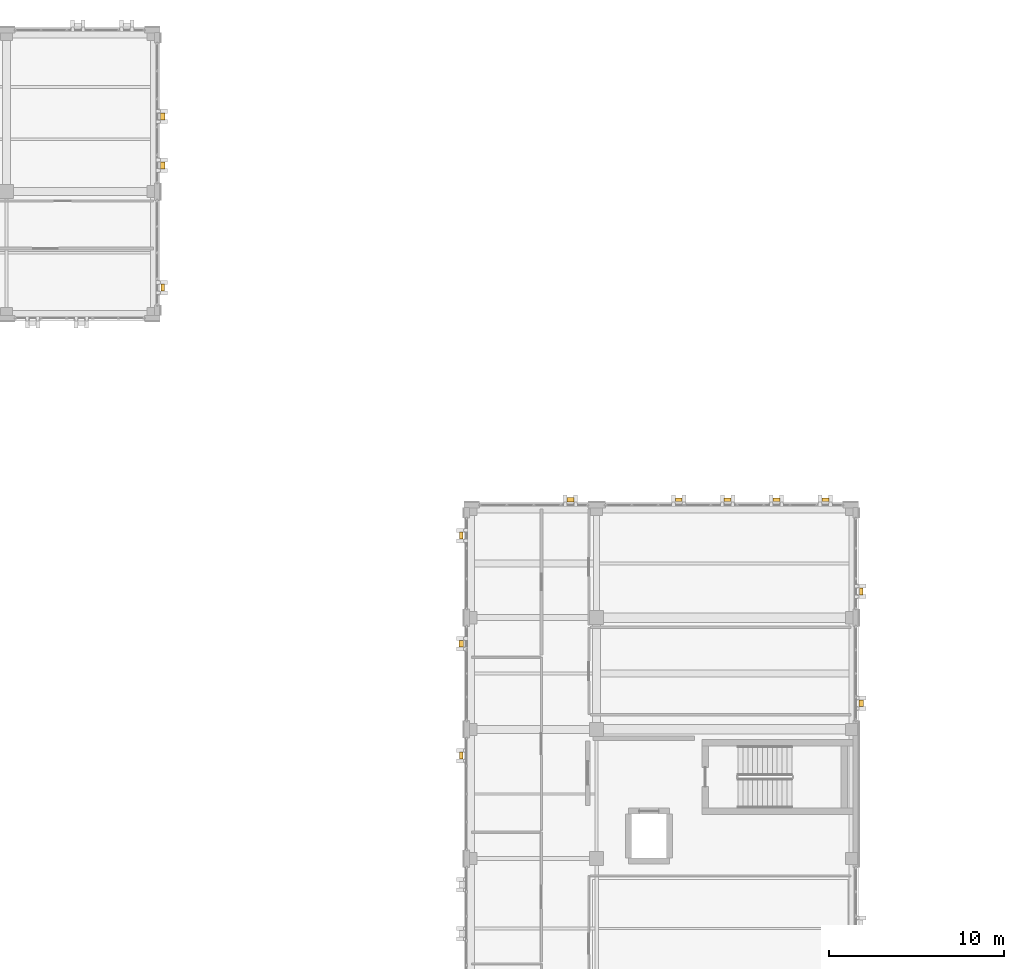
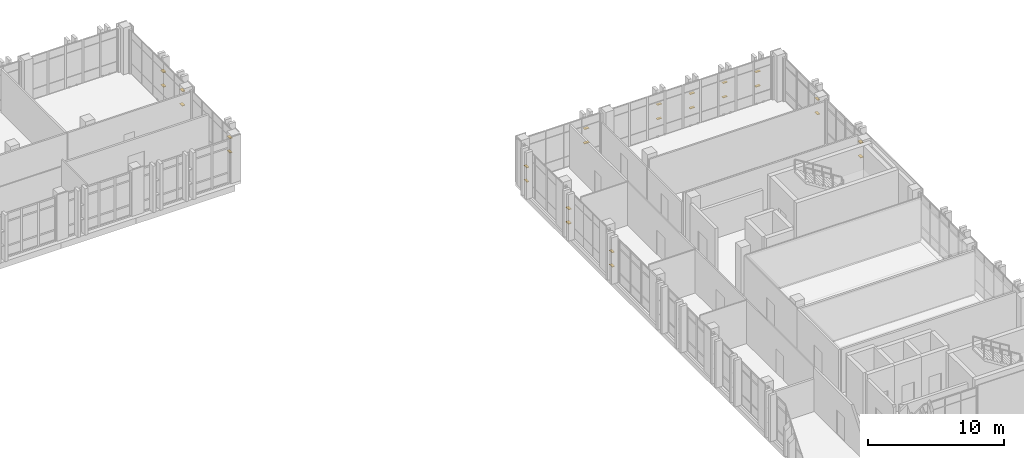
# One storey, part 192 of 193: 26 shading devices.
"""IFC4 building model written with IfcOpenShell, lengths in metres."""

from ifc_helpers import new_model, si_unit, direction, frame, origin, origin_2d, place, context, subcontext, project, spatial, rectangle, extrude, material, type_object, element, save


model = new_model("IFC4")

# Units and contexts
model_context = context("Model", 3, precision=1e-05, world=origin(), true_north=direction((0.0, 1.0)))
body_context = subcontext(model_context, "Body", "Model", "MODEL_VIEW")
ifc_project = project(units=[si_unit("LENGTHUNIT", "METRE"), si_unit("AREAUNIT", "SQUARE_METRE"), si_unit("VOLUMEUNIT", "CUBIC_METRE"), si_unit("PLANEANGLEUNIT", "RADIAN"), si_unit("MASSUNIT", "GRAM", prefix="KILO")], contexts=[model_context])

# Site, building, storey
site_placement = place(None, origin())
site = spatial("IfcSite", under=ifc_project, at=site_placement, CompositionType="ELEMENT")
building_placement = place(site_placement, origin())
building = spatial("IfcBuilding", under=site, at=building_placement, Name="Qalavern Law Courts", CompositionType="ELEMENT")
storey_placement = place(building_placement, frame((0.0, 0.0, 10.199951171875)))
storey = spatial("IfcBuildingStorey", under=building, at=storey_placement, Name="L02", CompositionType="ELEMENT", Elevation=10.199951171875)

# Shading devices
ifc_material = material(Name="Anodised aluminium", Category="aluminium")
shading_device_type_1 = type_object("IfcShadingDeviceType", Name="ENV-LOUV-1", PredefinedType="JALOUSIE", material=ifc_material)
for number, where, z_axis, x_axis, name in (
    (1, (106.955078125, 80.699951171875, 1.34033203125), (0.0, 0.0, 1.0), (0.0, 1.0, 0.0), "Horizontal sun louvre V4-L02-0-1"),
    (2, (106.955078125, 80.699951171875, 2.63232421875), (0.0, 0.0, 1.0), (0.0, 1.0, 0.0), "Horizontal sun louvre V4-L02-0-2"),
    (3, (104.89990234375, 85.955078125, 1.34033203125), (0.0, 0.0, 1.0), (-1.0, 0.0, 0.0), "Horizontal sun louvre V4-L02-0-1"),
    (4, (104.89990234375, 85.955078125, 2.63232421875), (0.0, 0.0, 1.0), (-1.0, 0.0, 0.0), "Horizontal sun louvre V4-L02-0-2"),
    (5, (102.10009765625, 85.955078125, 1.34033203125), (0.0, 0.0, 1.0), (-1.0, 0.0, 0.0), "Horizontal sun louvre V4-L02-1-1"),
    (6, (102.10009765625, 85.955078125, 2.63232421875), (0.0, 0.0, 1.0), (-1.0, 0.0, 0.0), "Horizontal sun louvre V4-L02-1-2"),
    (7, (99.300048828125, 85.955078125, 1.34033203125), (0.0, 0.0, 1.0), (-1.0, 0.0, 0.0), "Horizontal sun louvre V4-L02-2-1"),
    (8, (99.300048828125, 85.955078125, 2.63232421875), (0.0, 0.0, 1.0), (-1.0, 0.0, 0.0), "Horizontal sun louvre V4-L02-2-2"),
    (9, (96.5, 85.955078125, 1.34033203125), (0.0, 0.0, 1.0), (-1.0, 0.0, 0.0), "Horizontal sun louvre V4-L02-3-1"),
    (10, (96.5, 85.955078125, 2.63232421875), (0.0, 0.0, 1.0), (-1.0, 0.0, 0.0), "Horizontal sun louvre V4-L02-3-2"),
    (11, (84.044921875, 83.89990234375, 1.34033203125), (0.0, 0.0, 1.0), (0.0, -1.0, 0.0), "Horizontal sun louvre V4-L02-0-1"),
    (12, (84.044921875, 83.89990234375, 2.63232421875), (0.0, 0.0, 1.0), (0.0, -1.0, 0.0), "Horizontal sun louvre V4-L02-0-2"),
    (13, (84.044921875, 71.300048828125, 1.34033203125), (0.0, 0.0, 1.0), (0.0, -1.0, 0.0), "Horizontal sun louvre V4-L02-0-1"),
    (14, (84.044921875, 71.300048828125, 2.63232421875), (0.0, 0.0, 1.0), (0.0, -1.0, 0.0), "Horizontal sun louvre V4-L02-0-2"),
    (15, (66.955078125, 98.10009765625, 1.34033203125), (0.0, 0.0, 1.0), (0.0, 1.0, 0.0), "Horizontal sun louvre V5-L02-0-1"),
    (16, (66.955078125, 98.10009765625, 2.63232421875), (0.0, 0.0, 1.0), (0.0, 1.0, 0.0), "Horizontal sun louvre V5-L02-0-2"),
):
    element("IfcShadingDevice", number, at=place(storey_placement, frame(where, z_axis=z_axis, x_axis=x_axis)), inside=storey, type_object=shading_device_type_1, Name=name, PredefinedType="JALOUSIE", context=body_context, shape_type="SweptSolid", body=[
        extrude(rectangle(XDim=0.389892578125, YDim=0.2099609375, at=origin_2d()), origin(), (0.0, 0.0, 1.0), 0.06005859375),
    ])
shading_device_type_2 = type_object("IfcShadingDeviceType", Name="ENV-LOUV-2", PredefinedType="JALOUSIE", material=ifc_material)
for number, where, z_axis, x_axis, name in (
    (17, (106.955078125, 74.300048828125, 1.34033203125), (0.0, 0.0, 1.0), (0.0, 1.0, 0.0), "Horizontal sun louvre V4-L02-0-1"),
    (18, (106.955078125, 74.300048828125, 2.63232421875), (0.0, 0.0, 1.0), (0.0, 1.0, 0.0), "Horizontal sun louvre V4-L02-0-2"),
    (19, (90.300048828125, 85.955078125, 1.34033203125), (0.0, 0.0, 1.0), (-1.0, 0.0, 0.0), "Horizontal sun louvre V4-L02-0-1"),
    (20, (90.300048828125, 85.955078125, 2.63232421875), (0.0, 0.0, 1.0), (-1.0, 0.0, 0.0), "Horizontal sun louvre V4-L02-0-2"),
    (21, (84.044921875, 77.699951171875, 1.34033203125), (0.0, 0.0, 1.0), (0.0, -1.0, 0.0), "Horizontal sun louvre V4-L02-0-1"),
    (22, (84.044921875, 77.699951171875, 2.63232421875), (0.0, 0.0, 1.0), (0.0, -1.0, 0.0), "Horizontal sun louvre V4-L02-0-2"),
    (23, (66.955078125, 105.10009765625, 1.34033203125), (0.0, 0.0, 1.0), (0.0, 1.0, 0.0), "Horizontal sun louvre V5-L02-0-1"),
    (24, (66.955078125, 105.10009765625, 2.63232421875), (0.0, 0.0, 1.0), (0.0, 1.0, 0.0), "Horizontal sun louvre V5-L02-0-2"),
    (25, (66.955078125, 107.89990234375, 1.34033203125), (0.0, 0.0, 1.0), (0.0, 1.0, 0.0), "Horizontal sun louvre V5-L02-1-1"),
    (26, (66.955078125, 107.89990234375, 2.63232421875), (0.0, 0.0, 1.0), (0.0, 1.0, 0.0), "Horizontal sun louvre V5-L02-1-2"),
):
    element("IfcShadingDevice", number, at=place(storey_placement, frame(where, z_axis=z_axis, x_axis=x_axis)), inside=storey, type_object=shading_device_type_2, Name=name, PredefinedType="JALOUSIE", context=body_context, shape_type="SweptSolid", body=[
        extrude(rectangle(XDim=0.389892578125, YDim=0.25, at=origin_2d()), origin(), (0.0, 0.0, 1.0), 0.06005859375),
    ])

save(model, "model.ifc")
